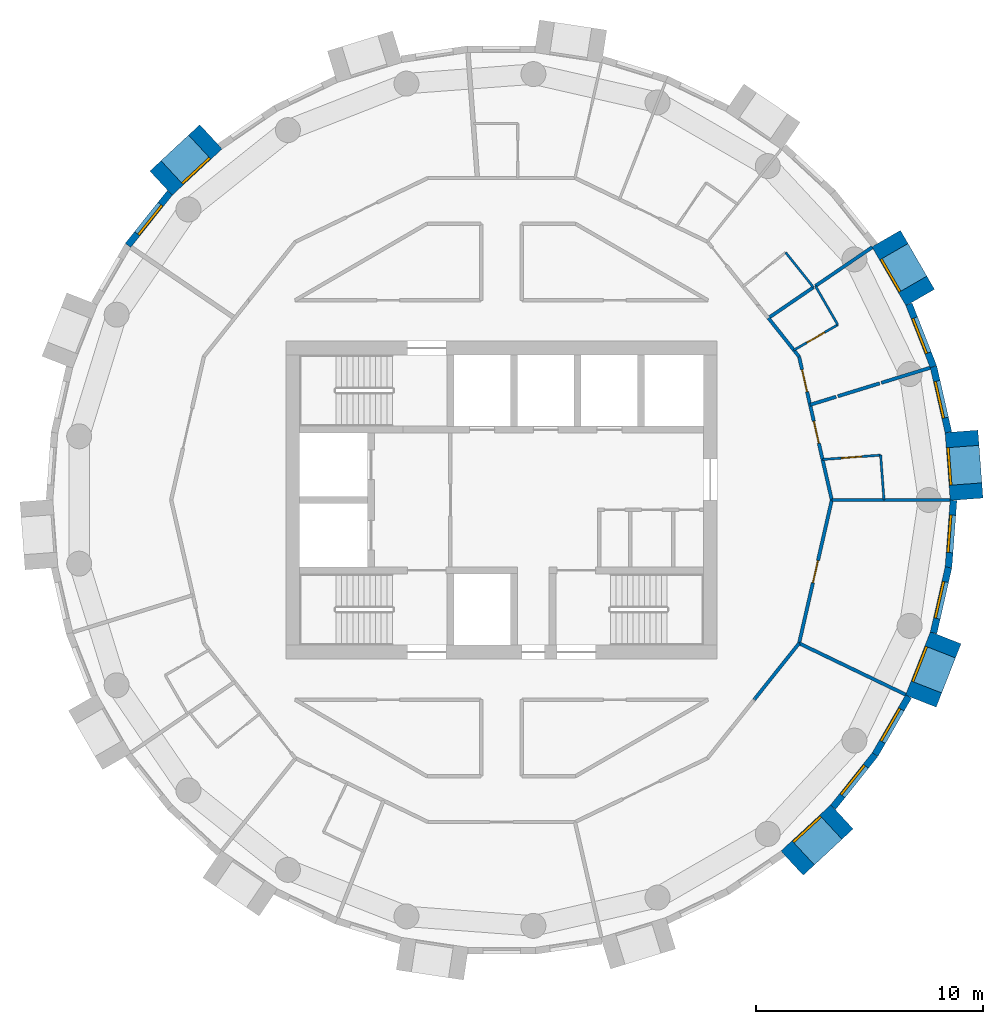
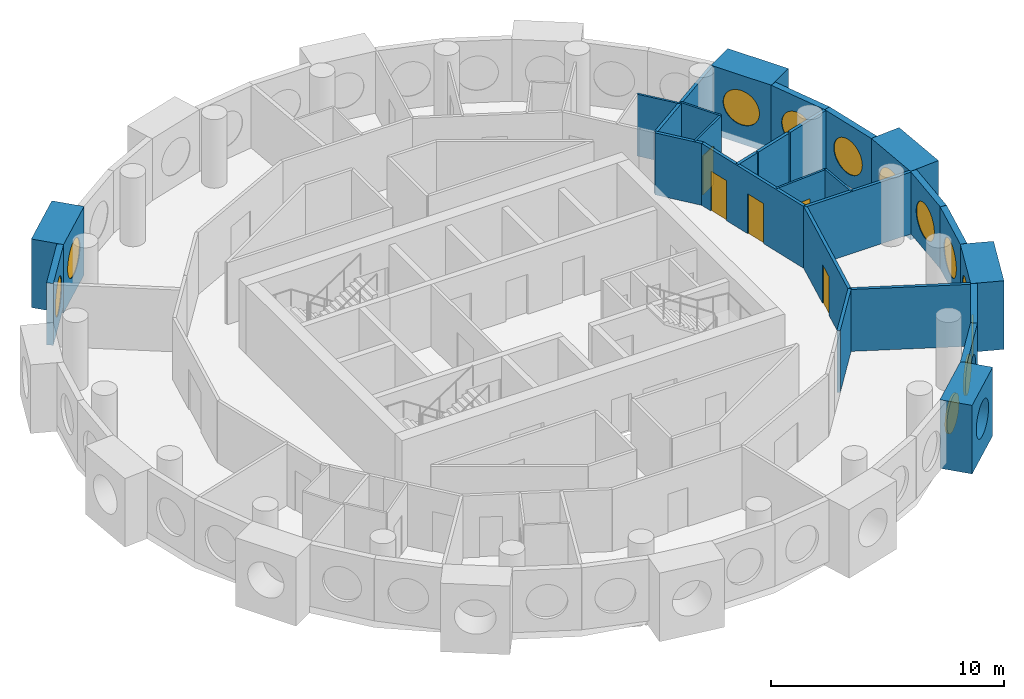
# One storey, part 10 of 13: 28 walls, 12 windows, 5 doors, 17 openings.
"""IFC4 building model written with IfcOpenShell, lengths in metres."""

from ifc_helpers import new_model, si_unit, direction, frame, frame_2d, origin, origin_2d, place, context, subcontext, project, spatial, rectangle, circle, extrude, material, layer, layer_set, type_object, element, fill, save


model = new_model("IFC4")

# Units and contexts
model_context = context("Model", 3, precision=1e-05, world=origin(), true_north=direction((0.0, 1.0)))
body_context = subcontext(model_context, "Body", "Model", "MODEL_VIEW")
ifc_project = project(units=[si_unit("LENGTHUNIT", "METRE"), si_unit("AREAUNIT", "SQUARE_METRE"), si_unit("VOLUMEUNIT", "CUBIC_METRE"), si_unit("PLANEANGLEUNIT", "RADIAN"), si_unit("MASSUNIT", "GRAM", prefix="KILO")], contexts=[model_context])

# Site, building, storey
site_placement = place(None, origin())
site = spatial("IfcSite", under=ifc_project, at=site_placement, CompositionType="ELEMENT")
building_placement = place(site_placement, origin())
building = spatial("IfcBuilding", under=site, at=building_placement, Name="Tracery Tower", CompositionType="ELEMENT")
storey_placement = place(building_placement, frame((0.0, 0.0, 259.800048828125)))
storey = spatial("IfcBuildingStorey", under=building, at=storey_placement, Name="L67", CompositionType="ELEMENT", Elevation=259.800048828125)

# Wall, opening, window
ifc_material_1 = material(Name="Precast concrete C50/60", Category="concrete")
ifc_layer_1 = layer(ifc_material_1, 1.449951171875)
ifc_layer_set_1 = layer_set([ifc_layer_1], Name="Deep-set bay unit 3000 x 3600, slab edge 350")
wall_type_1 = type_object("IfcWallType", Name="Deep-set bay unit 3000 x 3600, slab edge 350", PredefinedType="ELEMENTEDWALL", material=ifc_layer_set_1)
wall_1_placement = place(storey_placement, frame((20.49609375, 0.03173828125, -0.35009765625), z_axis=(0.0, 0.0, 1.0), x_axis=(-0.074785902127, 0.997199613339, 0.0)))
wall_1 = element("IfcWall", 1, at=wall_1_placement, inside=storey, type_object=wall_type_1, Name="Deep-set bay unit 1 at L67", PredefinedType="ELEMENTEDWALL", context=body_context, shape_type="SweptSolid", body=[
    extrude(rectangle(XDim=3.0, YDim=1.449951171875, at=frame_2d((1.5, 0.0))), origin(), (0.0, 0.0, 1.0), 3.60009765625),
])
opening_1_placement = place(wall_1_placement, frame((1.5, 0.0, 1.89990234375)))
opening_1 = element("IfcOpeningElement", 2, at=opening_1_placement, cuts=wall_1, Name="Opening WN1", PredefinedType="OPENING", context=body_context, shape_type="SweptSolid", body=[
    extrude(circle(Radius=0.9000244140625, at=origin_2d()), frame((0.0, 0.73486328125, 0.0), z_axis=(0.0, -1.0, 0.0), x_axis=(1.0, 0.0, 0.0)), (0.0, 0.0, 1.0), 1.469970703125),
])
ifc_material_2 = material(Name="Aluminium frame with tinted double glazing", Category="aluminium")
window_type = type_object("IfcWindowType", Name="Round window 1800", PartitioningType="SINGLE_PANEL", PredefinedType="WINDOW", material=ifc_material_2)
window_1_placement = place(opening_1_placement, origin())
window_1 = element("IfcWindow", 3, at=window_1_placement, inside=storey, type_object=window_type, Name="Round window 1 at L67", OverallHeight=1.800048828125, OverallWidth=1.800048828125, PartitioningType="SINGLE_PANEL", PredefinedType="WINDOW", context=body_context, shape_type="SweptSolid", body=[
    extrude(circle(Radius=0.9000244140625, at=origin_2d()), frame((0.0, 0.69482421875, 0.0), z_axis=(0.0, -1.0, 0.0), x_axis=(1.0, 0.0, 0.0)), (0.0, 0.0, 1.0), 0.10009765625),
])
fill(opening_1, window_1)

wall_2_placement = place(storey_placement, frame((18.452392578125, 8.92138671875, -0.35009765625), z_axis=(0.0, 0.0, 1.0), x_axis=(-0.499990139034, 0.866031096941, 0.0)))
wall_2 = element("IfcWall", 4, at=wall_2_placement, inside=storey, type_object=wall_type_1, Name="Deep-set bay unit 4 at L67", PredefinedType="ELEMENTEDWALL", context=body_context, shape_type="SweptSolid", body=[
    extrude(rectangle(XDim=3.0, YDim=1.449951171875, at=frame_2d((1.5, 0.0))), origin(), (0.0, 0.0, 1.0), 3.60009765625),
])
opening_2_placement = place(wall_2_placement, frame((1.5, 0.0, 1.89990234375)))
opening_2 = element("IfcOpeningElement", 5, at=opening_2_placement, cuts=wall_2, Name="Opening WN1", PredefinedType="OPENING", context=body_context, shape_type="SweptSolid", body=[
    extrude(circle(Radius=0.9000244140625, at=origin_2d()), frame((0.0, 0.73486328125, 0.0), z_axis=(0.0, -1.0, 0.0), x_axis=(1.0, 0.0, 0.0)), (0.0, 0.0, 1.0), 1.469970703125),
])
window_2_placement = place(opening_2_placement, origin())
window_2 = element("IfcWindow", 6, at=window_2_placement, inside=storey, type_object=window_type, Name="Round window 4 at L67", OverallHeight=1.800048828125, OverallWidth=1.800048828125, PartitioningType="SINGLE_PANEL", PredefinedType="WINDOW", context=body_context, shape_type="SweptSolid", body=[
    extrude(circle(Radius=0.9000244140625, at=origin_2d()), frame((0.0, 0.69482421875, 0.0), z_axis=(0.0, -1.0, 0.0), x_axis=(1.0, 0.0, 0.0)), (0.0, 0.0, 1.0), 0.10009765625),
])
fill(opening_2, window_2)

wall_3_placement = place(storey_placement, frame((-12.803955078125, 16.004638671875, -0.35009765625), z_axis=(0.0, 0.0, 1.0), x_axis=(-0.733022439167, -0.680204457261, 0.0)))
wall_3 = element("IfcWall", 7, at=wall_3_placement, inside=storey, type_object=wall_type_1, Name="Deep-set bay unit 16 at L67", PredefinedType="ELEMENTEDWALL", context=body_context, shape_type="SweptSolid", body=[
    extrude(rectangle(XDim=2.999755859375, YDim=1.449951171875, at=frame_2d((1.5, 0.0))), origin(), (0.0, 0.0, 1.0), 3.60009765625),
])
opening_3_placement = place(wall_3_placement, frame((1.5, 0.0, 1.89990234375)))
opening_3 = element("IfcOpeningElement", 8, at=opening_3_placement, cuts=wall_3, Name="Opening WN1", PredefinedType="OPENING", context=body_context, shape_type="SweptSolid", body=[
    extrude(circle(Radius=0.9000244140625, at=origin_2d()), frame((0.0, 0.73486328125, 0.0), z_axis=(0.0, -1.0, 0.0), x_axis=(1.0, 0.0, 0.0)), (0.0, 0.0, 1.0), 1.469970703125),
])
window_3_placement = place(opening_3_placement, origin())
window_3 = element("IfcWindow", 9, at=window_3_placement, inside=storey, type_object=window_type, Name="Round window 16 at L67", OverallHeight=1.800048828125, OverallWidth=1.800048828125, PartitioningType="SINGLE_PANEL", PredefinedType="WINDOW", context=body_context, shape_type="SweptSolid", body=[
    extrude(circle(Radius=0.9000244140625, at=origin_2d()), frame((0.0, 0.69482421875, 0.0), z_axis=(0.0, -1.0, 0.0), x_axis=(1.0, 0.0, 0.0)), (0.0, 0.0, 1.0), 0.10009765625),
])
fill(opening_3, window_3)

wall_4_placement = place(storey_placement, frame((12.803955078125, -16.004638671875, -0.35009765625), z_axis=(0.0, 0.0, 1.0), x_axis=(0.733022439167, 0.680204457261, 0.0)))
wall_4 = element("IfcWall", 10, at=wall_4_placement, inside=storey, type_object=wall_type_1, Name="Deep-set bay unit 37 at L67", PredefinedType="ELEMENTEDWALL", context=body_context, shape_type="SweptSolid", body=[
    extrude(rectangle(XDim=2.999755859375, YDim=1.449951171875, at=frame_2d((1.5, 0.0))), origin(), (0.0, 0.0, 1.0), 3.60009765625),
])
opening_4_placement = place(wall_4_placement, frame((1.5, 0.0, 1.89990234375)))
opening_4 = element("IfcOpeningElement", 11, at=opening_4_placement, cuts=wall_4, Name="Opening WN1", PredefinedType="OPENING", context=body_context, shape_type="SweptSolid", body=[
    extrude(circle(Radius=0.9000244140625, at=origin_2d()), frame((0.0, 0.73486328125, 0.0), z_axis=(0.0, -1.0, 0.0), x_axis=(1.0, 0.0, 0.0)), (0.0, 0.0, 1.0), 1.469970703125),
])
window_4_placement = place(opening_4_placement, origin())
window_4 = element("IfcWindow", 12, at=window_4_placement, inside=storey, type_object=window_type, Name="Round window 37 at L67", OverallHeight=1.800048828125, OverallWidth=1.800048828125, PartitioningType="SINGLE_PANEL", PredefinedType="WINDOW", context=body_context, shape_type="SweptSolid", body=[
    extrude(circle(Radius=0.9000244140625, at=origin_2d()), frame((0.0, 0.69482421875, 0.0), z_axis=(0.0, -1.0, 0.0), x_axis=(1.0, 0.0, 0.0)), (0.0, 0.0, 1.0), 0.10009765625),
])
fill(opening_4, window_4)

wall_5_placement = place(storey_placement, frame((18.47998046875, -8.8642578125, -0.35009765625), z_axis=(0.0, 0.0, 1.0), x_axis=(0.36537792632, 0.93085926485, 0.0)))
wall_5 = element("IfcWall", 13, at=wall_5_placement, inside=storey, type_object=wall_type_1, Name="Deep-set bay unit 40 at L67", PredefinedType="ELEMENTEDWALL", context=body_context, shape_type="SweptSolid", body=[
    extrude(rectangle(XDim=3.000244140625, YDim=1.449951171875, at=frame_2d((1.5, 0.0))), origin(), (0.0, 0.0, 1.0), 3.60009765625),
])
opening_5_placement = place(wall_5_placement, frame((1.5, 0.0, 1.89990234375)))
opening_5 = element("IfcOpeningElement", 14, at=opening_5_placement, cuts=wall_5, Name="Opening WN1", PredefinedType="OPENING", context=body_context, shape_type="SweptSolid", body=[
    extrude(circle(Radius=0.9000244140625, at=origin_2d()), frame((0.0, 0.73486328125, 0.0), z_axis=(0.0, -1.0, 0.0), x_axis=(1.0, 0.0, 0.0)), (0.0, 0.0, 1.0), 1.469970703125),
])
window_5_placement = place(opening_5_placement, origin())
window_5 = element("IfcWindow", 15, at=window_5_placement, inside=storey, type_object=window_type, Name="Round window 40 at L67", OverallHeight=1.800048828125, OverallWidth=1.800048828125, PartitioningType="SINGLE_PANEL", PredefinedType="WINDOW", context=body_context, shape_type="SweptSolid", body=[
    extrude(circle(Radius=0.9000244140625, at=origin_2d()), frame((0.0, 0.69482421875, 0.0), z_axis=(0.0, -1.0, 0.0), x_axis=(1.0, 0.0, 0.0)), (0.0, 0.0, 1.0), 0.10009765625),
])
fill(opening_5, window_5)

ifc_material_3 = material(Name="Precast concrete C50/60", Category="concrete")
ifc_layer_2 = layer(ifc_material_3, 0.300048828125)
ifc_layer_set_2 = layer_set([ifc_layer_2], Name="Facade panel 3000 x 3250")
wall_type_2 = type_object("IfcWallType", Name="Facade panel 3000 x 3250", PredefinedType="SOLIDWALL", material=ifc_layer_set_2)
wall_6_placement = place(storey_placement, frame((19.69580078125, 2.984130859375, 0.0), z_axis=(0.0, 0.0, 1.0), x_axis=(-0.222529389789, 0.974925982155, 0.0)))
wall_6 = element("IfcWall", 16, at=wall_6_placement, inside=storey, type_object=wall_type_2, Name="Facade panel 2 at L67", PredefinedType="SOLIDWALL", context=body_context, shape_type="SweptSolid", body=[
    extrude(rectangle(XDim=2.962158203125, YDim=0.300048828125, at=frame_2d((1.48095703125, 0.0))), origin(), (0.0, 0.0, 1.0), 3.25),
])
opening_6_placement = place(wall_6_placement, frame((1.48095703125, 0.0, 1.5498046875)))
opening_6 = element("IfcOpeningElement", 17, at=opening_6_placement, cuts=wall_6, Name="Opening WN1", PredefinedType="OPENING", context=body_context, shape_type="SweptSolid", body=[
    extrude(circle(Radius=0.9000244140625, at=origin_2d()), frame((0.0, 0.159912109375, 0.0), z_axis=(0.0, -1.0, 0.0), x_axis=(1.0, 0.0, 0.0)), (0.0, 0.0, 1.0), 0.320068359375),
])
window_6_placement = place(opening_6_placement, origin())
window_6 = element("IfcWindow", 18, at=window_6_placement, inside=storey, type_object=window_type, Name="Round window 2 at L67", OverallHeight=1.800048828125, OverallWidth=1.800048828125, PartitioningType="SINGLE_PANEL", PredefinedType="WINDOW", context=body_context, shape_type="SweptSolid", body=[
    extrude(circle(Radius=0.9000244140625, at=origin_2d()), frame((0.0, 0.1201171875, 0.0), z_axis=(0.0, -1.0, 0.0), x_axis=(1.0, 0.0, 0.0)), (0.0, 0.0, 1.0), 0.10009765625),
])
fill(opening_6, window_6)

wall_7_placement = place(storey_placement, frame((19.03662109375, 5.8720703125, 0.0), z_axis=(0.0, 0.0, 1.0), x_axis=(-0.36530043032, 0.930889679612, 0.0)))
wall_7 = element("IfcWall", 19, at=wall_7_placement, inside=storey, type_object=wall_type_2, Name="Facade panel 3 at L67", PredefinedType="SOLIDWALL", context=body_context, shape_type="SweptSolid", body=[
    extrude(rectangle(XDim=2.9619140625, YDim=0.300048828125, at=frame_2d((1.48095703125, 0.0))), origin(), (0.0, 0.0, 1.0), 3.25),
])
opening_7_placement = place(wall_7_placement, frame((1.48095703125, 0.0, 1.5498046875)))
opening_7 = element("IfcOpeningElement", 20, at=opening_7_placement, cuts=wall_7, Name="Opening WN1", PredefinedType="OPENING", context=body_context, shape_type="SweptSolid", body=[
    extrude(circle(Radius=0.9000244140625, at=origin_2d()), frame((0.0, 0.159912109375, 0.0), z_axis=(0.0, -1.0, 0.0), x_axis=(1.0, 0.0, 0.0)), (0.0, 0.0, 1.0), 0.320068359375),
])
window_7_placement = place(opening_7_placement, origin())
window_7 = element("IfcWindow", 21, at=window_7_placement, inside=storey, type_object=window_type, Name="Round window 3 at L67", OverallHeight=1.800048828125, OverallWidth=1.800048828125, PartitioningType="SINGLE_PANEL", PredefinedType="WINDOW", context=body_context, shape_type="SweptSolid", body=[
    extrude(circle(Radius=0.9000244140625, at=origin_2d()), frame((0.0, 0.1201171875, 0.0), z_axis=(0.0, -1.0, 0.0), x_axis=(1.0, 0.0, 0.0)), (0.0, 0.0, 1.0), 0.10009765625),
])
fill(opening_7, window_7)

wall_8_placement = place(storey_placement, frame((-14.61328125, 13.538330078125, 0.0), z_axis=(0.0, 0.0, 1.0), x_axis=(-0.623498236992, -0.781824755599, 0.0)))
wall_8 = element("IfcWall", 22, at=wall_8_placement, inside=storey, type_object=wall_type_2, Name="Facade panel 17 at L67", PredefinedType="SOLIDWALL", context=body_context, shape_type="SweptSolid", body=[
    extrude(rectangle(XDim=2.962158203125, YDim=0.300048828125, at=frame_2d((1.48095703125, 0.0))), origin(), (0.0, 0.0, 1.0), 3.25),
])
opening_8_placement = place(wall_8_placement, frame((1.48095703125, 0.0, 1.5498046875)))
opening_8 = element("IfcOpeningElement", 23, at=opening_8_placement, cuts=wall_8, Name="Opening WN1", PredefinedType="OPENING", context=body_context, shape_type="SweptSolid", body=[
    extrude(circle(Radius=0.9000244140625, at=origin_2d()), frame((0.0, 0.159912109375, 0.0), z_axis=(0.0, -1.0, 0.0), x_axis=(1.0, 0.0, 0.0)), (0.0, 0.0, 1.0), 0.320068359375),
])
window_8_placement = place(opening_8_placement, origin())
window_8 = element("IfcWindow", 24, at=window_8_placement, inside=storey, type_object=window_type, Name="Round window 17 at L67", OverallHeight=1.800048828125, OverallWidth=1.800048828125, PartitioningType="SINGLE_PANEL", PredefinedType="WINDOW", context=body_context, shape_type="SweptSolid", body=[
    extrude(circle(Radius=0.9000244140625, at=origin_2d()), frame((0.0, 0.1201171875, 0.0), z_axis=(0.0, -1.0, 0.0), x_axis=(1.0, 0.0, 0.0)), (0.0, 0.0, 1.0), 0.10009765625),
])
fill(opening_8, window_8)

wall_9_placement = place(storey_placement, frame((14.61328125, -13.538330078125, 0.0), z_axis=(0.0, 0.0, 1.0), x_axis=(0.623498236992, 0.781824755599, 0.0)))
wall_9 = element("IfcWall", 25, at=wall_9_placement, inside=storey, type_object=wall_type_2, Name="Facade panel 38 at L67", PredefinedType="SOLIDWALL", context=body_context, shape_type="SweptSolid", body=[
    extrude(rectangle(XDim=2.962158203125, YDim=0.300048828125, at=frame_2d((1.48095703125, 0.0))), origin(), (0.0, 0.0, 1.0), 3.25),
])
opening_9_placement = place(wall_9_placement, frame((1.48095703125, 0.0, 1.5498046875)))
opening_9 = element("IfcOpeningElement", 26, at=opening_9_placement, cuts=wall_9, Name="Opening WN1", PredefinedType="OPENING", context=body_context, shape_type="SweptSolid", body=[
    extrude(circle(Radius=0.9000244140625, at=origin_2d()), frame((0.0, 0.159912109375, 0.0), z_axis=(0.0, -1.0, 0.0), x_axis=(1.0, 0.0, 0.0)), (0.0, 0.0, 1.0), 0.320068359375),
])
window_9_placement = place(opening_9_placement, origin())
window_9 = element("IfcWindow", 27, at=window_9_placement, inside=storey, type_object=window_type, Name="Round window 38 at L67", OverallHeight=1.800048828125, OverallWidth=1.800048828125, PartitioningType="SINGLE_PANEL", PredefinedType="WINDOW", context=body_context, shape_type="SweptSolid", body=[
    extrude(circle(Radius=0.9000244140625, at=origin_2d()), frame((0.0, 0.1201171875, 0.0), z_axis=(0.0, -1.0, 0.0), x_axis=(1.0, 0.0, 0.0)), (0.0, 0.0, 1.0), 0.10009765625),
])
fill(opening_9, window_9)

wall_10_placement = place(storey_placement, frame((16.460205078125, -11.222412109375, 0.0), z_axis=(0.0, 0.0, 1.0), x_axis=(0.499950756475, 0.86605383268, 0.0)))
wall_10 = element("IfcWall", 28, at=wall_10_placement, inside=storey, type_object=wall_type_2, Name="Facade panel 39 at L67", PredefinedType="SOLIDWALL", context=body_context, shape_type="SweptSolid", body=[
    extrude(rectangle(XDim=2.962158203125, YDim=0.300048828125, at=frame_2d((1.48095703125, 0.0))), origin(), (0.0, 0.0, 1.0), 3.25),
])
opening_10_placement = place(wall_10_placement, frame((1.48095703125, 0.0, 1.5498046875)))
opening_10 = element("IfcOpeningElement", 29, at=opening_10_placement, cuts=wall_10, Name="Opening WN1", PredefinedType="OPENING", context=body_context, shape_type="SweptSolid", body=[
    extrude(circle(Radius=0.9000244140625, at=origin_2d()), frame((0.0, 0.159912109375, 0.0), z_axis=(0.0, -1.0, 0.0), x_axis=(1.0, 0.0, 0.0)), (0.0, 0.0, 1.0), 0.320068359375),
])
window_10_placement = place(opening_10_placement, origin())
window_10 = element("IfcWindow", 30, at=window_10_placement, inside=storey, type_object=window_type, Name="Round window 39 at L67", OverallHeight=1.800048828125, OverallWidth=1.800048828125, PartitioningType="SINGLE_PANEL", PredefinedType="WINDOW", context=body_context, shape_type="SweptSolid", body=[
    extrude(circle(Radius=0.9000244140625, at=origin_2d()), frame((0.0, 0.1201171875, 0.0), z_axis=(0.0, -1.0, 0.0), x_axis=(1.0, 0.0, 0.0)), (0.0, 0.0, 1.0), 0.10009765625),
])
fill(opening_10, window_10)

wall_11_placement = place(storey_placement, frame((19.0400390625, -5.857177734375, 0.0), z_axis=(0.0, 0.0, 1.0), x_axis=(0.222529389789, 0.974925982155, 0.0)))
wall_11 = element("IfcWall", 31, at=wall_11_placement, inside=storey, type_object=wall_type_2, Name="Facade panel 41 at L67", PredefinedType="SOLIDWALL", context=body_context, shape_type="SweptSolid", body=[
    extrude(rectangle(XDim=2.962158203125, YDim=0.300048828125, at=frame_2d((1.48095703125, 0.0))), origin(), (0.0, 0.0, 1.0), 3.25),
])
opening_11_placement = place(wall_11_placement, frame((1.48095703125, 0.0, 1.5498046875)))
opening_11 = element("IfcOpeningElement", 32, at=opening_11_placement, cuts=wall_11, Name="Opening WN1", PredefinedType="OPENING", context=body_context, shape_type="SweptSolid", body=[
    extrude(circle(Radius=0.9000244140625, at=origin_2d()), frame((0.0, 0.159912109375, 0.0), z_axis=(0.0, -1.0, 0.0), x_axis=(1.0, 0.0, 0.0)), (0.0, 0.0, 1.0), 0.320068359375),
])
window_11_placement = place(opening_11_placement, origin())
window_11 = element("IfcWindow", 33, at=window_11_placement, inside=storey, type_object=window_type, Name="Round window 41 at L67", OverallHeight=1.800048828125, OverallWidth=1.800048828125, PartitioningType="SINGLE_PANEL", PredefinedType="WINDOW", context=body_context, shape_type="SweptSolid", body=[
    extrude(circle(Radius=0.9000244140625, at=origin_2d()), frame((0.0, 0.1201171875, 0.0), z_axis=(0.0, -1.0, 0.0), x_axis=(1.0, 0.0, 0.0)), (0.0, 0.0, 1.0), 0.10009765625),
])
fill(opening_11, window_11)

wall_12_placement = place(storey_placement, frame((19.69921875, -2.96923828125, 0.0), z_axis=(0.0, 0.0, 1.0), x_axis=(0.07474897196, 0.997202382263, 0.0)))
wall_12 = element("IfcWall", 34, at=wall_12_placement, inside=storey, type_object=wall_type_2, Name="Facade panel 42 at L67", PredefinedType="SOLIDWALL", context=body_context, shape_type="SweptSolid", body=[
    extrude(rectangle(XDim=2.96240234375, YDim=0.300048828125, at=frame_2d((1.481201171875, 0.0))), origin(), (0.0, 0.0, 1.0), 3.25),
])
opening_12_placement = place(wall_12_placement, frame((1.48095703125, 0.0, 1.5498046875)))
opening_12 = element("IfcOpeningElement", 35, at=opening_12_placement, cuts=wall_12, Name="Opening WN1", PredefinedType="OPENING", context=body_context, shape_type="SweptSolid", body=[
    extrude(circle(Radius=0.9000244140625, at=origin_2d()), frame((0.0, 0.159912109375, 0.0), z_axis=(0.0, -1.0, 0.0), x_axis=(1.0, 0.0, 0.0)), (0.0, 0.0, 1.0), 0.320068359375),
])
window_12_placement = place(opening_12_placement, origin())
window_12 = element("IfcWindow", 36, at=window_12_placement, inside=storey, type_object=window_type, Name="Round window 42 at L67", OverallHeight=1.800048828125, OverallWidth=1.800048828125, PartitioningType="SINGLE_PANEL", PredefinedType="WINDOW", context=body_context, shape_type="SweptSolid", body=[
    extrude(circle(Radius=0.9000244140625, at=origin_2d()), frame((0.0, 0.1201171875, 0.0), z_axis=(0.0, -1.0, 0.0), x_axis=(1.0, 0.0, 0.0)), (0.0, 0.0, 1.0), 0.10009765625),
])
fill(opening_12, window_12)

# Wall
ifc_material_4 = material(Name="Plasterboard on steel studs", Category="steel")
ifc_layer_3 = layer(ifc_material_4, 0.10009765625)
ifc_layer_set_3 = layer_set([ifc_layer_3], Name="Partition 100 wet wall")
wall_type_3 = type_object("IfcWallType", Name="Partition 100 wet wall", PredefinedType="PARTITIONING", material=ifc_layer_set_3)
wall_13_placement = place(storey_placement, frame((16.7080078125, 1.97705078125, 0.0), z_axis=(0.0, 0.0, 1.0), x_axis=(0.074624634103, -0.997211694669, 0.0)))
element("IfcWall", 37, at=wall_13_placement, inside=storey, type_object=wall_type_3, Name="Wet wall RC3-047", PredefinedType="PARTITIONING", context=body_context, shape_type="SweptSolid", body=[
    extrude(rectangle(XDim=1.982666015625, YDim=0.10009765625, at=frame_2d((0.9912109375, 0.0))), origin(), (0.0, 0.0, 1.0), 3.25),
])

# Wall, opening, door
wall_14_placement = place(storey_placement, frame((14.14892578125, 1.784912109375, 0.0), z_axis=(0.0, 0.0, 1.0), x_axis=(0.997193275785, 0.074870359477, 0.0)))
wall_14 = element("IfcWall", 38, at=wall_14_placement, inside=storey, type_object=wall_type_3, Name="Wet wall RC3-048", PredefinedType="PARTITIONING", context=body_context, shape_type="SweptSolid", body=[
    extrude(rectangle(XDim=2.56640625, YDim=0.10009765625, at=frame_2d((1.283203125, 0.0))), origin(), (0.0, 0.0, 1.0), 3.25),
])
opening_13_placement = place(wall_14_placement, frame((0.833251953125, 0.0, 0.0)))
opening_13 = element("IfcOpeningElement", 39, at=opening_13_placement, cuts=wall_14, Name="Opening RC3-05", PredefinedType="OPENING", context=body_context, shape_type="SweptSolid", body=[
    extrude(rectangle(XDim=0.89990234375, YDim=2.0400390625, at=frame_2d((0.449951171875, 1.02001953125))), frame((0.0, 0.050048828125, 0.0), z_axis=(0.0, -1.0, 0.0), x_axis=(1.0, 0.0, 0.0)), (0.0, 0.0, 1.0), 0.10009765625),
])
ifc_material_5 = material(Name="Timber door leaf", Category="wood")
door_type_1 = type_object("IfcDoorType", Name="Door en-suite 900", OperationType="NOTDEFINED", PredefinedType="DOOR", material=ifc_material_5)
door_1_placement = place(opening_13_placement, origin())
door_1 = element("IfcDoor", 40, at=door_1_placement, inside=storey, type_object=door_type_1, Name="En-suite door RC3-05", OperationType="SINGLE_SWING_LEFT", OverallHeight=2.0400390625, OverallWidth=0.89990234375, PredefinedType="DOOR", context=body_context, shape_type="SweptSolid", body=[
    extrude(rectangle(XDim=0.89990234375, YDim=2.0400390625, at=frame_2d((0.449951171875, 1.02001953125))), frame((0.0, 0.02490234375, 0.0), z_axis=(0.0, -1.0, 0.0), x_axis=(1.0, 0.0, 0.0)), (0.0, 0.0, 1.0), 0.050048828125),
])
fill(opening_13, door_1)

wall_15_placement = place(storey_placement, frame((12.885009765625, 6.60498046875, 0.0), z_axis=(0.0, 0.0, 1.0), x_axis=(0.866076416361, 0.499911633214, 0.0)))
wall_15 = element("IfcWall", 41, at=wall_15_placement, inside=storey, type_object=wall_type_3, Name="Wet wall RC3-053", PredefinedType="PARTITIONING", context=body_context, shape_type="SweptSolid", body=[
    extrude(rectangle(XDim=2.234375, YDim=0.10009765625, at=frame_2d((1.1171875, 0.0))), origin(), (0.0, 0.0, 1.0), 3.25),
])
opening_14_placement = place(wall_15_placement, frame((0.6669921875, 0.0, 0.0)))
opening_14 = element("IfcOpeningElement", 42, at=opening_14_placement, cuts=wall_15, Name="Opening RC3-07", PredefinedType="OPENING", context=body_context, shape_type="SweptSolid", body=[
    extrude(rectangle(XDim=0.89990234375, YDim=2.0400390625, at=frame_2d((0.449951171875, 1.02001953125))), frame((0.0, 0.050048828125, 0.0), z_axis=(0.0, -1.0, 0.0), x_axis=(1.0, 0.0, 0.0)), (0.0, 0.0, 1.0), 0.10009765625),
])
door_2_placement = place(opening_14_placement, origin())
door_2 = element("IfcDoor", 43, at=door_2_placement, inside=storey, type_object=door_type_1, Name="En-suite door RC3-07", OperationType="SINGLE_SWING_LEFT", OverallHeight=2.0400390625, OverallWidth=0.89990234375, PredefinedType="DOOR", context=body_context, shape_type="SweptSolid", body=[
    extrude(rectangle(XDim=0.89990234375, YDim=2.0400390625, at=frame_2d((0.449951171875, 1.02001953125))), frame((0.0, 0.02490234375, 0.0), z_axis=(0.0, -1.0, 0.0), x_axis=(1.0, 0.0, 0.0)), (0.0, 0.0, 1.0), 0.050048828125),
])
fill(opening_14, door_2)

# Walls
wall_16_placement = place(storey_placement, frame((13.8330078125, 9.430908203125, 0.0), z_axis=(0.0, 0.0, 1.0), x_axis=(0.500143626598, -0.865942465048, 0.0)))
element("IfcWall", 44, at=wall_16_placement, inside=storey, type_object=wall_type_3, Name="Wet wall RC3-054", PredefinedType="PARTITIONING", context=body_context, shape_type="SweptSolid", body=[
    extrude(rectangle(XDim=1.9736328125, YDim=0.10009765625, at=frame_2d((0.98681640625, 0.0))), origin(), (0.0, 0.0, 1.0), 3.25),
])
wall_17_placement = place(storey_placement, frame((12.52197265625, 10.909912109375, 0.0), z_axis=(0.0, 0.0, 1.0), x_axis=(0.623330716607, -0.781958322249, 0.0)))
element("IfcWall", 45, at=wall_17_placement, inside=storey, type_object=wall_type_3, Name="Wet wall RC3-063", PredefinedType="PARTITIONING", context=body_context, shape_type="SweptSolid", body=[
    extrude(rectangle(XDim=1.96533203125, YDim=0.10009765625, at=frame_2d((0.982666015625, 0.0))), origin(), (0.0, 0.0, 1.0), 3.25),
])
ifc_material_6 = material(Name="Plasterboard on steel studs", Category="steel")
ifc_layer_4 = layer(ifc_material_6, 0.14990234375)
ifc_layer_set_4 = layer_set([ifc_layer_4], Name="Partition 150 acoustic unit wall")
wall_type_4 = type_object("IfcWallType", Name="Partition 150 acoustic unit wall", PredefinedType="PARTITIONING", material=ifc_layer_set_4)
wall_18_placement = place(storey_placement, frame((13.59912109375, 4.195068359375, 0.0), z_axis=(0.0, 0.0, 1.0), x_axis=(0.955506647746, 0.294969568115, 0.0)))
element("IfcWall", 46, at=wall_18_placement, inside=storey, type_object=wall_type_4, Name="Unit wall RC3-049", PredefinedType="PARTITIONING", context=body_context, shape_type="SweptSolid", body=[
    extrude(rectangle(XDim=1.203369140625, YDim=0.14990234375, at=frame_2d((0.6015625, 0.0))), origin(), (0.0, 0.0, 1.0), 3.25),
])
wall_19_placement = place(storey_placement, frame((16.739013671875, 5.1640625, 0.0), z_axis=(0.0, 0.0, 1.0), x_axis=(0.955650111791, 0.294504437715, 0.0)))
element("IfcWall", 47, at=wall_19_placement, inside=storey, type_object=wall_type_4, Name="Unit wall RC3-050", PredefinedType="PARTITIONING", context=body_context, shape_type="SweptSolid", body=[
    extrude(rectangle(XDim=2.25390625, YDim=0.14990234375, at=frame_2d((1.126953125, 0.0))), origin(), (0.0, 0.0, 1.0), 3.25),
])
wall_20_placement = place(storey_placement, frame((14.556884765625, 0.0, 0.0), z_axis=(0.0, 0.0, 1.0), x_axis=(1.0, 0.0, 0.0)))
element("IfcWall", 48, at=wall_20_placement, inside=storey, type_object=wall_type_4, Name="Unit wall RC3-051", PredefinedType="PARTITIONING", context=body_context, shape_type="SweptSolid", body=[
    extrude(rectangle(XDim=5.214111328125, YDim=0.14990234375, at=frame_2d((2.60693359375, 0.0))), origin(), (0.0, 0.0, 1.0), 3.25),
])
wall_21_placement = place(storey_placement, frame((14.822998046875, 4.572998046875, 0.0), z_axis=(0.0, 0.0, 1.0), x_axis=(0.955628343972, 0.294575063773, 0.0)))
element("IfcWall", 49, at=wall_21_placement, inside=storey, type_object=wall_type_4, Name="Unit wall RC3-052", PredefinedType="PARTITIONING", context=body_context, shape_type="SweptSolid", body=[
    extrude(rectangle(XDim=1.9287109375, YDim=0.14990234375, at=frame_2d((0.96435546875, 0.0))), origin(), (0.0, 0.0, 1.0), 3.25),
])
wall_22_placement = place(storey_placement, frame((13.8330078125, 9.430908203125, 0.0), z_axis=(0.0, 0.0, 1.0), x_axis=(0.826152320289, 0.56344684193, 0.0)))
element("IfcWall", 50, at=wall_22_placement, inside=storey, type_object=wall_type_4, Name="Unit wall RC3-055", PredefinedType="PARTITIONING", context=body_context, shape_type="SweptSolid", body=[
    extrude(rectangle(XDim=3.029541015625, YDim=0.14990234375, at=frame_2d((1.5146484375, 0.0))), origin(), (0.0, 0.0, 1.0), 3.25),
])
wall_23_placement = place(storey_placement, frame((11.759033203125, 8.01708984375, 0.0), z_axis=(0.0, 0.0, 1.0), x_axis=(0.826143746222, 0.563459413426, 0.0)))
element("IfcWall", 51, at=wall_23_placement, inside=storey, type_object=wall_type_4, Name="Unit wall RC3-056", PredefinedType="PARTITIONING", context=body_context, shape_type="SweptSolid", body=[
    extrude(rectangle(XDim=2.409912109375, YDim=0.14990234375, at=frame_2d((1.205078125, 0.0))), origin(), (0.0, 0.0, 1.0), 3.25),
])
wall_24_placement = place(storey_placement, frame((13.114990234375, -6.31591796875, 0.0), z_axis=(0.0, 0.0, 1.0), x_axis=(0.901004381064, -0.433809987557, 0.0)))
element("IfcWall", 52, at=wall_24_placement, inside=storey, type_object=wall_type_4, Name="Unit wall RC3-081", PredefinedType="PARTITIONING", context=body_context, shape_type="SweptSolid", body=[
    extrude(rectangle(XDim=5.214111328125, YDim=0.14990234375, at=frame_2d((2.60693359375, 0.0))), origin(), (0.0, 0.0, 1.0), 3.25),
])

# Wall, openings, doors
ifc_material_7 = material(Name="Plasterboard on steel studs", Category="steel")
ifc_layer_5 = layer(ifc_material_7, 0.14990234375)
ifc_layer_set_5 = layer_set([ifc_layer_5], Name="Partition 150 corridor wall")
wall_type_5 = type_object("IfcWallType", Name="Partition 150 corridor wall", PredefinedType="PARTITIONING", material=ifc_layer_set_5)
wall_25_placement = place(storey_placement, frame((13.11474609375, 6.31591796875, 0.0), z_axis=(0.0, 0.0, 1.0), x_axis=(0.222568978642, -0.97491694505, 0.0)))
wall_25 = element("IfcWall", 53, at=wall_25_placement, inside=storey, type_object=wall_type_5, Name="Corridor wall RC3-021", PredefinedType="PARTITIONING", context=body_context, shape_type="SweptSolid", body=[
    extrude(rectangle(XDim=6.478515625, YDim=0.14990234375, at=frame_2d((3.2392578125, 0.0))), origin(), (0.0, 0.0, 1.0), 3.25),
])
opening_15_placement = place(wall_25_placement, frame((2.911376953125, 0.0, 0.0)))
opening_15 = element("IfcOpeningElement", 54, at=opening_15_placement, cuts=wall_25, Name="Opening RC3-06", PredefinedType="OPENING", context=body_context, shape_type="SweptSolid", body=[
    extrude(rectangle(XDim=1.0, YDim=2.10009765625, at=frame_2d((0.5, 1.050048828125))), frame((0.0, 0.074951171875, 0.0), z_axis=(0.0, -1.0, 0.0), x_axis=(1.0, 0.0, 0.0)), (0.0, 0.0, 1.0), 0.14990234375),
])
opening_16_placement = place(wall_25_placement, frame((0.590087890625, 0.0, 0.0)))
opening_16 = element("IfcOpeningElement", 55, at=opening_16_placement, cuts=wall_25, Name="Opening RC3-08", PredefinedType="OPENING", context=body_context, shape_type="SweptSolid", body=[
    extrude(rectangle(XDim=1.0, YDim=2.10009765625, at=frame_2d((0.5, 1.050048828125))), frame((0.0, 0.074951171875, 0.0), z_axis=(0.0, -1.0, 0.0), x_axis=(1.0, 0.0, 0.0)), (0.0, 0.0, 1.0), 0.14990234375),
])
ifc_material_8 = material(Name="Timber door leaf", Category="wood")
door_type_2 = type_object("IfcDoorType", Name="Door unit entrance 1000", OperationType="NOTDEFINED", PredefinedType="DOOR", material=ifc_material_8)
door_3_placement = place(opening_15_placement, origin())
door_3 = element("IfcDoor", 56, at=door_3_placement, inside=storey, type_object=door_type_2, Name="Unit entrance door RC3-06", OperationType="SINGLE_SWING_LEFT", OverallHeight=2.10009765625, OverallWidth=1.0, PredefinedType="DOOR", context=body_context, shape_type="SweptSolid", body=[
    extrude(rectangle(XDim=1.0, YDim=2.10009765625, at=frame_2d((0.5, 1.050048828125))), frame((0.0, 0.02490234375, 0.0), z_axis=(0.0, -1.0, 0.0), x_axis=(1.0, 0.0, 0.0)), (0.0, 0.0, 1.0), 0.050048828125),
])
fill(opening_15, door_3)
door_4_placement = place(opening_16_placement, origin())
door_4 = element("IfcDoor", 57, at=door_4_placement, inside=storey, type_object=door_type_2, Name="Unit entrance door RC3-08", OperationType="SINGLE_SWING_RIGHT", OverallHeight=2.10009765625, OverallWidth=1.0, PredefinedType="DOOR", context=body_context, shape_type="SweptSolid", body=[
    extrude(rectangle(XDim=1.0, YDim=2.10009765625, at=frame_2d((0.5, 1.050048828125))), frame((0.0, 0.02490234375, 0.0), z_axis=(0.0, -1.0, 0.0), x_axis=(1.0, 0.0, 0.0)), (0.0, 0.0, 1.0), 0.050048828125),
])
fill(opening_16, door_4)

# Walls
wall_26_placement = place(storey_placement, frame((11.759521484375, 8.02197265625, 0.0), z_axis=(0.0, 0.0, 1.0), x_axis=(0.62206805366, -0.782963177049, 0.0)))
element("IfcWall", 58, at=wall_26_placement, inside=storey, type_object=wall_type_5, Name="Corridor wall RC3-022", PredefinedType="PARTITIONING", context=body_context, shape_type="SweptSolid", body=[
    extrude(rectangle(XDim=2.178955078125, YDim=0.14990234375, at=frame_2d((1.08935546875, 0.0))), origin(), (0.0, 0.0, 1.0), 3.25),
])
wall_27_placement = place(storey_placement, frame((11.134033203125, -8.800048828125, 0.0), z_axis=(0.0, 0.0, 1.0), x_axis=(0.623476099415, 0.781842409606, 0.0)))
element("IfcWall", 59, at=wall_27_placement, inside=storey, type_object=wall_type_5, Name="Corridor wall RC3-024", PredefinedType="PARTITIONING", context=body_context, shape_type="SweptSolid", body=[
    extrude(rectangle(XDim=3.17724609375, YDim=0.14990234375, at=frame_2d((1.588623046875, 0.0))), origin(), (0.0, 0.0, 1.0), 3.25),
])

# Wall, opening, door
wall_28_placement = place(storey_placement, frame((13.114990234375, -6.31591796875, 0.0), z_axis=(0.0, 0.0, 1.0), x_axis=(0.222568978642, 0.97491694505, 0.0)))
wall_28 = element("IfcWall", 60, at=wall_28_placement, inside=storey, type_object=wall_type_5, Name="Corridor wall RC3-025", PredefinedType="PARTITIONING", context=body_context, shape_type="SweptSolid", body=[
    extrude(rectangle(XDim=6.478515625, YDim=0.14990234375, at=frame_2d((3.2392578125, 0.0))), origin(), (0.0, 0.0, 1.0), 3.25),
])
opening_17_placement = place(wall_28_placement, frame((2.739501953125, 0.0, 0.0)))
opening_17 = element("IfcOpeningElement", 61, at=opening_17_placement, cuts=wall_28, Name="Opening RC3-26", PredefinedType="OPENING", context=body_context, shape_type="SweptSolid", body=[
    extrude(rectangle(XDim=1.0, YDim=2.0400390625, at=frame_2d((0.5, 1.02001953125))), frame((0.0, 0.074951171875, 0.0), z_axis=(0.0, -1.0, 0.0), x_axis=(1.0, 0.0, 0.0)), (0.0, 0.0, 1.0), 0.14990234375),
])
ifc_material_9 = material(Name="Timber door leaf", Category="wood")
door_type_3 = type_object("IfcDoorType", Name="Door communal room 1000", OperationType="NOTDEFINED", PredefinedType="DOOR", material=ifc_material_9)
door_5_placement = place(opening_17_placement, origin())
door_5 = element("IfcDoor", 62, at=door_5_placement, inside=storey, type_object=door_type_3, Name="Communal room door RC3-26", OperationType="SINGLE_SWING_LEFT", OverallHeight=2.0400390625, OverallWidth=1.0, PredefinedType="DOOR", context=body_context, shape_type="SweptSolid", body=[
    extrude(rectangle(XDim=1.0, YDim=2.0400390625, at=frame_2d((0.5, 1.02001953125))), frame((0.0, 0.02490234375, 0.0), z_axis=(0.0, -1.0, 0.0), x_axis=(1.0, 0.0, 0.0)), (0.0, 0.0, 1.0), 0.050048828125),
])
fill(opening_17, door_5)

save(model, "model.ifc")
